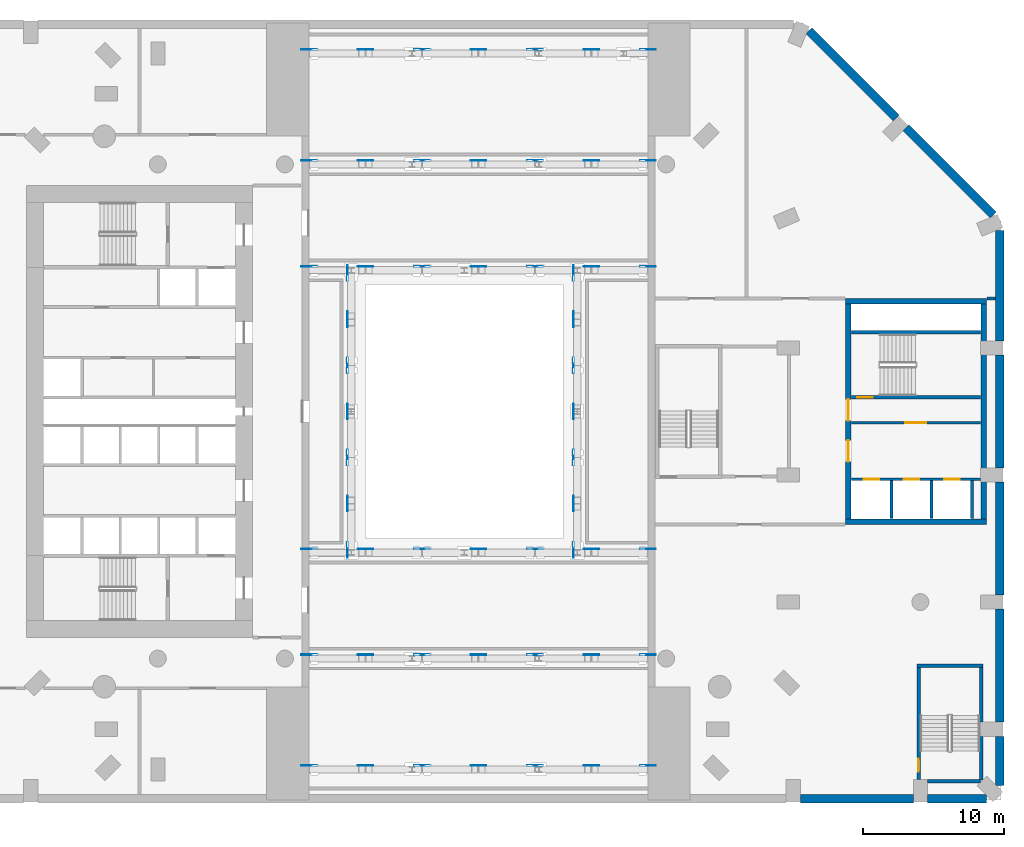
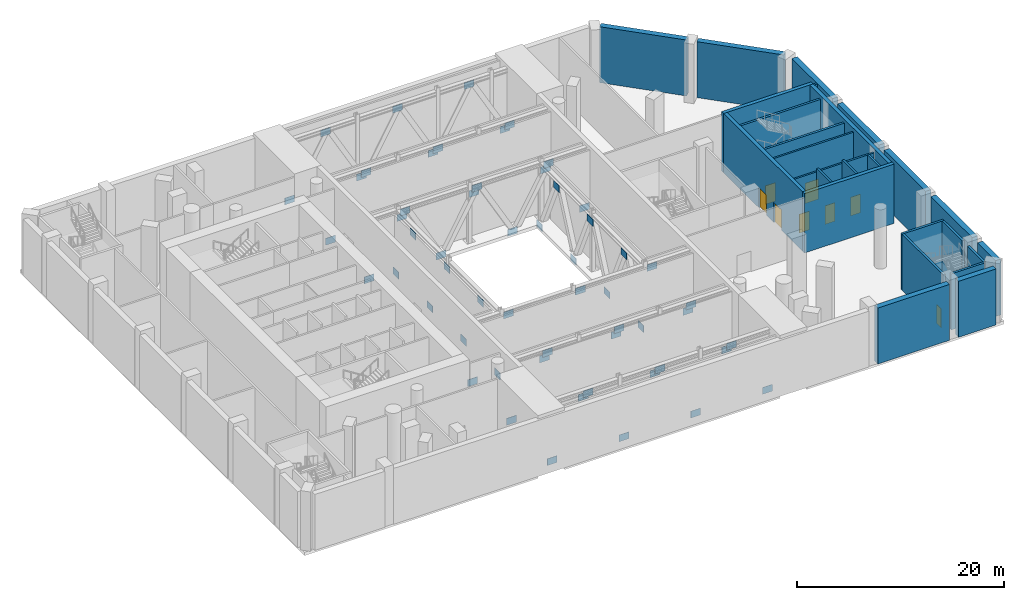
# One storey, part 8 of 21: 56 discrete accessories, 26 walls, 8 doors, 8 openings.
"""IFC4 building model written with IfcOpenShell, lengths in metres."""

from ifc_helpers import new_model, si_unit, direction, frame, frame_2d, origin, origin_2d, place, context, subcontext, project, spatial, rectangle, extrude, material, layer, layer_set, material_profile, profile_set, type_object, element, fill, save


model = new_model("IFC4")

# Units and contexts
model_context = context("Model", 3, precision=1e-05, world=origin(), true_north=direction((0.0, 1.0)))
body_context = subcontext(model_context, "Body", "Model", "MODEL_VIEW")
ifc_project = project(units=[si_unit("LENGTHUNIT", "METRE"), si_unit("AREAUNIT", "SQUARE_METRE"), si_unit("VOLUMEUNIT", "CUBIC_METRE"), si_unit("PLANEANGLEUNIT", "RADIAN"), si_unit("MASSUNIT", "GRAM", prefix="KILO")], contexts=[model_context])

# Site, building, storey
site_placement = place(None, origin())
site = spatial("IfcSite", under=ifc_project, at=site_placement, CompositionType="ELEMENT")
building_placement = place(site_placement, origin())
building = spatial("IfcBuilding", under=site, at=building_placement, Name="Cypress Arch Tower", CompositionType="ELEMENT")
storey_placement = place(building_placement, frame((0.0, 0.0, 29.0)))
storey = spatial("IfcBuildingStorey", under=building, at=storey_placement, Name="L03", CompositionType="ELEMENT", Elevation=29.0)

# Walls
ifc_material_1 = material(Name="Brick (red buff blend) on blockwork backing", Category="masonry")
ifc_layer_1 = layer(ifc_material_1, 0.60009765625)
ifc_layer_set_1 = layer_set([ifc_layer_1], Name="Brick base wall BW600")
wall_type_1 = type_object("IfcWallType", Name="Brick base wall BW600", PredefinedType="ELEMENTEDWALL", material=ifc_layer_set_1)
wall_1_placement = place(storey_placement, frame((24.800048828125, -27.425048828125, 0.0), z_axis=(0.0, 0.0, 1.0), x_axis=(1.0, 0.0, 0.0)))
element("IfcWall", 1, at=wall_1_placement, inside=storey, type_object=wall_type_1, Name="Brick wall L03 P00.3", PredefinedType="ELEMENTEDWALL", context=body_context, shape_type="SweptSolid", body=[
    extrude(rectangle(XDim=8.0, YDim=0.60009765625, at=frame_2d((4.0, 0.0))), origin(), (0.0, 0.0, 1.0), 6.60009765625),
])
wall_2_placement = place(storey_placement, frame((33.800048828125, -27.425048828125, 0.0), z_axis=(0.0, 0.0, 1.0), x_axis=(1.0, 0.0, 0.0)))
element("IfcWall", 2, at=wall_2_placement, inside=storey, type_object=wall_type_1, Name="Brick wall L03 P00.4", PredefinedType="ELEMENTEDWALL", context=body_context, shape_type="SweptSolid", body=[
    extrude(rectangle(XDim=4.19287109375, YDim=0.60009765625, at=frame_2d((2.096435546875, 0.0))), origin(), (0.0, 0.0, 1.0), 6.60009765625),
])
wall_3_placement = place(storey_placement, frame((38.925048828125, -26.492919921875, 0.0), z_axis=(0.0, 0.0, 1.0), x_axis=(0.0, 1.0, 0.0)))
element("IfcWall", 3, at=wall_3_placement, inside=storey, type_object=wall_type_1, Name="Brick wall L03 P01.0", PredefinedType="ELEMENTEDWALL", context=body_context, shape_type="SweptSolid", body=[
    extrude(rectangle(XDim=3.492919921875, YDim=0.60009765625, at=frame_2d((1.74658203125, 0.0))), origin(), (0.0, 0.0, 1.0), 6.60009765625),
])
for number, where, z_axis, x_axis, name in (
    (4, (38.925048828125, -22.0, 0.0), (0.0, 0.0, 1.0), (0.0, 1.0, 0.0), "Brick wall L03 P01.1"),
    (5, (38.925048828125, -13.0, 0.0), (0.0, 0.0, 1.0), (0.0, 1.0, 0.0), "Brick wall L03 P01.2"),
    (6, (38.925048828125, -4.0, 0.0), (0.0, 0.0, 1.0), (0.0, 1.0, 0.0), "Brick wall L03 P01.3"),
):
    element("IfcWall", number, at=place(storey_placement, frame(where, z_axis=z_axis, x_axis=x_axis)), inside=storey, type_object=wall_type_1, Name=name, PredefinedType="ELEMENTEDWALL", context=body_context, shape_type="SweptSolid", body=[
        extrude(rectangle(XDim=8.0, YDim=0.60009765625, at=frame_2d((4.0, 0.0))), origin(), (0.0, 0.0, 1.0), 6.60009765625),
    ])
wall_4_placement = place(storey_placement, frame((38.925048828125, 5.0, 0.0), z_axis=(0.0, 0.0, 1.0), x_axis=(0.0, 1.0, 0.0)))
element("IfcWall", 7, at=wall_4_placement, inside=storey, type_object=wall_type_1, Name="Brick wall L03 P01.4", PredefinedType="ELEMENTEDWALL", context=body_context, shape_type="SweptSolid", body=[
    extrude(rectangle(XDim=7.83447265625, YDim=0.60009765625, at=frame_2d((3.917236328125, 0.0))), origin(), (0.0, 0.0, 1.0), 6.60009765625),
])
for number, where, z_axis, x_axis, name in (
    (8, (38.476318359375, 13.91748046875, 0.0), (0.0, 0.0, 1.0), (-0.707092804673, 0.707120757424, 0.0), "Brick wall L03 P02.0"),
    (9, (31.593505859375, 20.800537109375, 0.0), (0.0, 0.0, 1.0), (-0.707120757424, 0.707092804673, 0.0), "Brick wall L03 P02.1"),
):
    element("IfcWall", number, at=place(storey_placement, frame(where, z_axis=z_axis, x_axis=x_axis)), inside=storey, type_object=wall_type_1, Name=name, PredefinedType="ELEMENTEDWALL", context=body_context, shape_type="SweptSolid", body=[
        extrude(rectangle(XDim=8.734130859375, YDim=0.60009765625, at=frame_2d((4.3671875, 0.0))), origin(), (0.0, 0.0, 1.0), 6.60009765625),
    ])

# Wall, opening, door
ifc_material_2 = material(Name="Concrete blockwork, plastered, rated", Category="masonry")
ifc_layer_2 = layer(ifc_material_2, 0.199951171875)
ifc_layer_set_2 = layer_set([ifc_layer_2], Name="Corridor wall FW200")
wall_type_2 = type_object("IfcWallType", Name="Corridor wall FW200", PredefinedType="PARTITIONING", material=ifc_layer_set_2)
wall_5_placement = place(storey_placement, frame((28.429931640625, -0.800048828125, 0.0), z_axis=(0.0, 0.0, 1.0), x_axis=(1.0, 0.0, 0.0)))
wall_5 = element("IfcWall", 10, at=wall_5_placement, inside=storey, type_object=wall_type_2, Name="Corridor wall", PredefinedType="PARTITIONING", context=body_context, shape_type="SweptSolid", body=[
    extrude(rectangle(XDim=9.14013671875, YDim=0.199951171875, at=frame_2d((4.570068359375, 0.0))), origin(), (0.0, 0.0, 1.0), 6.597900390625),
])
opening_1_placement = place(wall_5_placement, frame((3.800048828125, 0.0, 0.0)))
opening_1 = element("IfcOpeningElement", 11, at=opening_1_placement, cuts=wall_5, Name="Opening D07", PredefinedType="OPENING", context=body_context, shape_type="SweptSolid", body=[
    extrude(rectangle(XDim=1.5, YDim=2.39990234375, at=frame_2d((0.75, 1.199951171875))), frame((0.0, 0.10986328125, 0.0), z_axis=(0.0, -1.0, 0.0), x_axis=(1.0, 0.0, 0.0)), (0.0, 0.0, 1.0), 0.219970703125),
])
ifc_material_3 = material(Name="Steel framed glazed door, fire resisting", Category="steel")
door_type_1 = type_object("IfcDoorType", Name="Lobby door D07 1500x2400", OperationType="DOUBLE_DOOR_SINGLE_SWING", PredefinedType="DOOR", material=ifc_material_3)
door_1_placement = place(opening_1_placement, origin())
door_1 = element("IfcDoor", 12, at=door_1_placement, inside=storey, type_object=door_type_1, Name="Lobby door", OperationType="DOUBLE_DOOR_SINGLE_SWING", OverallHeight=2.39990234375, OverallWidth=1.5, PredefinedType="DOOR", context=body_context, shape_type="SweptSolid", body=[
    extrude(rectangle(XDim=1.5, YDim=2.39990234375, at=frame_2d((0.75, 1.199951171875))), frame((0.0, 0.02490234375, 0.0), z_axis=(0.0, -1.0, 0.0), x_axis=(1.0, 0.0, 0.0)), (0.0, 0.0, 1.0), 0.050048828125),
])
fill(opening_1, door_1)

# Walls
ifc_material_4 = material(Name="Concrete C60/75", Category="concrete")
ifc_layer_3 = layer(ifc_material_4, 0.39990234375)
ifc_layer_set_3 = layer_set([ifc_layer_3], Name="East core wall CW400 C60/75")
wall_type_3 = type_object("IfcWallType", Name="East core wall CW400 C60/75", PredefinedType="SHEAR", material=ifc_layer_set_3)
for number, where, z_axis, x_axis, name in (
    (13, (28.0, 7.800048828125, 0.0), (0.0, 0.0, 1.0), (1.0, 0.0, 0.0), "East core wall"),
    (14, (28.0, -7.800048828125, 0.0), (0.0, 0.0, 1.0), (1.0, 0.0, 0.0), "East core wall"),
):
    element("IfcWall", number, at=place(storey_placement, frame(where, z_axis=z_axis, x_axis=x_axis)), inside=storey, type_object=wall_type_3, Name=name, PredefinedType="SHEAR", context=body_context, shape_type="SweptSolid", body=[
        extrude(rectangle(XDim=10.0, YDim=0.39990234375, at=frame_2d((5.0, 0.0))), origin(), (0.0, 0.0, 1.0), 7.0),
    ])
wall_6_placement = place(storey_placement, frame((37.800048828125, -7.60009765625, 0.0), z_axis=(0.0, 0.0, 1.0), x_axis=(0.0, 1.0, 0.0)))
element("IfcWall", 15, at=wall_6_placement, inside=storey, type_object=wall_type_3, Name="East core wall", PredefinedType="SHEAR", context=body_context, shape_type="SweptSolid", body=[
    extrude(rectangle(XDim=15.2001953125, YDim=0.39990234375, at=frame_2d((7.60009765625, 0.0))), origin(), (0.0, 0.0, 1.0), 7.0),
])

# Wall, openings, doors
wall_7_placement = place(storey_placement, frame((28.199951171875, -7.60009765625, 0.0), z_axis=(0.0, 0.0, 1.0), x_axis=(0.0, 1.0, 0.0)))
wall_7 = element("IfcWall", 16, at=wall_7_placement, inside=storey, type_object=wall_type_3, Name="East core wall", PredefinedType="SHEAR", context=body_context, shape_type="SweptSolid", body=[
    extrude(rectangle(XDim=15.2001953125, YDim=0.39990234375, at=frame_2d((7.60009765625, 0.0))), origin(), (0.0, 0.0, 1.0), 7.0),
])
opening_2_placement = place(wall_7_placement, frame((4.050048828125, 0.0, 0.0)))
opening_2 = element("IfcOpeningElement", 17, at=opening_2_placement, cuts=wall_7, Name="Opening D07", PredefinedType="OPENING", context=body_context, shape_type="SweptSolid", body=[
    extrude(rectangle(XDim=1.5, YDim=2.39990234375, at=frame_2d((0.75, 1.199951171875))), frame((0.0, 0.2099609375, 0.0), z_axis=(0.0, -1.0, 0.0), x_axis=(1.0, 0.0, 0.0)), (0.0, 0.0, 1.0), 0.419921875),
])
opening_3_placement = place(wall_7_placement, frame((6.949951171875, 0.0, 0.0)))
opening_3 = element("IfcOpeningElement", 18, at=opening_3_placement, cuts=wall_7, Name="Opening D07", PredefinedType="OPENING", context=body_context, shape_type="SweptSolid", body=[
    extrude(rectangle(XDim=1.5, YDim=2.39990234375, at=frame_2d((0.75, 1.199951171875))), frame((0.0, 0.2099609375, 0.0), z_axis=(0.0, -1.0, 0.0), x_axis=(1.0, 0.0, 0.0)), (0.0, 0.0, 1.0), 0.419921875),
])
door_2_placement = place(opening_2_placement, origin())
door_2 = element("IfcDoor", 19, at=door_2_placement, inside=storey, type_object=door_type_1, Name="Lobby door", OperationType="DOUBLE_DOOR_SINGLE_SWING", OverallHeight=2.39990234375, OverallWidth=1.5, PredefinedType="DOOR", context=body_context, shape_type="SweptSolid", body=[
    extrude(rectangle(XDim=1.5, YDim=2.39990234375, at=frame_2d((0.75, 1.199951171875))), frame((0.0, 0.02490234375, 0.0), z_axis=(0.0, -1.0, 0.0), x_axis=(1.0, 0.0, 0.0)), (0.0, 0.0, 1.0), 0.050048828125),
])
fill(opening_2, door_2)
door_3_placement = place(opening_3_placement, origin())
door_3 = element("IfcDoor", 20, at=door_3_placement, inside=storey, type_object=door_type_1, Name="Lobby door", OperationType="DOUBLE_DOOR_SINGLE_SWING", OverallHeight=2.39990234375, OverallWidth=1.5, PredefinedType="DOOR", context=body_context, shape_type="SweptSolid", body=[
    extrude(rectangle(XDim=1.5, YDim=2.39990234375, at=frame_2d((0.75, 1.199951171875))), frame((0.0, 0.02490234375, 0.0), z_axis=(0.0, -1.0, 0.0), x_axis=(1.0, 0.0, 0.0)), (0.0, 0.0, 1.0), 0.050048828125),
])
fill(opening_3, door_3)

# Wall
ifc_material_5 = material(Name="Reinforced blockwork, plastered, rated", Category="masonry")
ifc_layer_4 = layer(ifc_material_5, 0.199951171875)
ifc_layer_set_4 = layer_set([ifc_layer_4], Name="Plant and riser wall PL200")
wall_type_4 = type_object("IfcWallType", Name="Plant and riser wall PL200", PredefinedType="PARTITIONING", material=ifc_layer_set_4)
wall_8_placement = place(storey_placement, frame((38.030029296875, 8.0, 0.0), z_axis=(0.0, 0.0, 1.0), x_axis=(1.0, 0.0, 0.0)))
element("IfcWall", 21, at=wall_8_placement, inside=storey, type_object=wall_type_4, Name="Plant and riser wall", PredefinedType="PARTITIONING", context=body_context, shape_type="SweptSolid", body=[
    extrude(rectangle(XDim=0.594970703125, YDim=0.199951171875, at=frame_2d((0.29736328125, 0.0))), origin(), (0.0, 0.0, 1.0), 6.597900390625),
])

# Wall, openings, doors
ifc_material_6 = material(Name="Concrete C50/60", Category="concrete")
ifc_layer_5 = layer(ifc_material_6, 0.199951171875)
ifc_layer_set_5 = layer_set([ifc_layer_5], Name="Shaft wall SH200")
wall_type_5 = type_object("IfcWallType", Name="Shaft wall SH200", PredefinedType="SHEAR", material=ifc_layer_set_5)
wall_9_placement = place(storey_placement, frame((28.429931640625, -4.800048828125, 0.0), z_axis=(0.0, 0.0, 1.0), x_axis=(1.0, 0.0, 0.0)))
wall_9 = element("IfcWall", 22, at=wall_9_placement, inside=storey, type_object=wall_type_5, Name="Shaft wall", PredefinedType="SHEAR", context=body_context, shape_type="SweptSolid", body=[
    extrude(rectangle(XDim=9.130126953125, YDim=0.199951171875, at=frame_2d((4.56494140625, 0.0))), origin(), (0.0, 0.0, 1.0), 6.597900390625),
])
opening_4_placement = place(wall_9_placement, frame((0.85009765625, 0.0, 0.0)))
opening_4 = element("IfcOpeningElement", 23, at=opening_4_placement, cuts=wall_9, Name="Opening LD-EW1", PredefinedType="OPENING", context=body_context, shape_type="SweptSolid", body=[
    extrude(rectangle(XDim=1.10009765625, YDim=2.199951171875, at=frame_2d((0.550048828125, 1.10009765625))), frame((0.0, 0.10986328125, 0.0), z_axis=(0.0, -1.0, 0.0), x_axis=(1.0, 0.0, 0.0)), (0.0, 0.0, 1.0), 0.219970703125),
])
opening_5_placement = place(wall_9_placement, frame((3.699951171875, 0.0, 0.0)))
opening_5 = element("IfcOpeningElement", 24, at=opening_5_placement, cuts=wall_9, Name="Opening LD-EW2", PredefinedType="OPENING", context=body_context, shape_type="SweptSolid", body=[
    extrude(rectangle(XDim=1.10009765625, YDim=2.199951171875, at=frame_2d((0.550048828125, 1.10009765625))), frame((0.0, 0.10986328125, 0.0), z_axis=(0.0, -1.0, 0.0), x_axis=(1.0, 0.0, 0.0)), (0.0, 0.0, 1.0), 0.219970703125),
])
opening_6_placement = place(wall_9_placement, frame((6.550048828125, 0.0, 0.0)))
opening_6 = element("IfcOpeningElement", 25, at=opening_6_placement, cuts=wall_9, Name="Opening LD-EWS", PredefinedType="OPENING", context=body_context, shape_type="SweptSolid", body=[
    extrude(rectangle(XDim=1.10009765625, YDim=2.199951171875, at=frame_2d((0.550048828125, 1.10009765625))), frame((0.0, 0.10986328125, 0.0), z_axis=(0.0, -1.0, 0.0), x_axis=(1.0, 0.0, 0.0)), (0.0, 0.0, 1.0), 0.219970703125),
])
ifc_material_7 = material(Name="Stainless steel centre-opening landing door, rated", Category="steel")
door_type_2 = type_object("IfcDoorType", Name="Lift landing door LD 1100x2200", OperationType="DOUBLE_DOOR_SLIDING", PredefinedType="DOOR", material=ifc_material_7)
door_4_placement = place(opening_4_placement, origin())
door_4 = element("IfcDoor", 26, at=door_4_placement, inside=storey, type_object=door_type_2, Name="Lift landing doors EW1", OperationType="DOUBLE_DOOR_SLIDING", OverallHeight=2.199951171875, OverallWidth=1.10009765625, PredefinedType="DOOR", context=body_context, shape_type="SweptSolid", body=[
    extrude(rectangle(XDim=1.10009765625, YDim=2.199951171875, at=frame_2d((0.550048828125, 1.10009765625))), frame((0.0, 0.02490234375, 0.0), z_axis=(0.0, -1.0, 0.0), x_axis=(1.0, 0.0, 0.0)), (0.0, 0.0, 1.0), 0.050048828125),
])
fill(opening_4, door_4)
door_5_placement = place(opening_5_placement, origin())
door_5 = element("IfcDoor", 27, at=door_5_placement, inside=storey, type_object=door_type_2, Name="Lift landing doors EW2", OperationType="DOUBLE_DOOR_SLIDING", OverallHeight=2.199951171875, OverallWidth=1.10009765625, PredefinedType="DOOR", context=body_context, shape_type="SweptSolid", body=[
    extrude(rectangle(XDim=1.10009765625, YDim=2.199951171875, at=frame_2d((0.550048828125, 1.10009765625))), frame((0.0, 0.02490234375, 0.0), z_axis=(0.0, -1.0, 0.0), x_axis=(1.0, 0.0, 0.0)), (0.0, 0.0, 1.0), 0.050048828125),
])
fill(opening_5, door_5)
door_6_placement = place(opening_6_placement, origin())
door_6 = element("IfcDoor", 28, at=door_6_placement, inside=storey, type_object=door_type_2, Name="Lift landing doors EWS", OperationType="DOUBLE_DOOR_SLIDING", OverallHeight=2.199951171875, OverallWidth=1.10009765625, PredefinedType="DOOR", context=body_context, shape_type="SweptSolid", body=[
    extrude(rectangle(XDim=1.10009765625, YDim=2.199951171875, at=frame_2d((0.550048828125, 1.10009765625))), frame((0.0, 0.02490234375, 0.0), z_axis=(0.0, -1.0, 0.0), x_axis=(1.0, 0.0, 0.0)), (0.0, 0.0, 1.0), 0.050048828125),
])
fill(opening_6, door_6)

# Walls
for number, where, z_axis, x_axis, name in (
    (29, (31.25, -7.570068359375, 0.0), (0.0, 0.0, 1.0), (0.0, 1.0, 0.0), "Shaft wall"),
    (30, (34.10009765625, -7.570068359375, 0.0), (0.0, 0.0, 1.0), (0.0, 1.0, 0.0), "Shaft wall"),
):
    element("IfcWall", number, at=place(storey_placement, frame(where, z_axis=z_axis, x_axis=x_axis)), inside=storey, type_object=wall_type_5, Name=name, PredefinedType="SHEAR", context=body_context, shape_type="SweptSolid", body=[
        extrude(rectangle(XDim=2.670166015625, YDim=0.199951171875, at=frame_2d((1.3349609375, 0.0))), origin(), (0.0, 0.0, 1.0), 7.0),
    ])
wall_10_placement = place(storey_placement, frame((36.949951171875, -7.570068359375, 0.0), z_axis=(0.0, 0.0, 1.0), x_axis=(0.0, 1.0, 0.0)))
element("IfcWall", 31, at=wall_10_placement, inside=storey, type_object=wall_type_5, Name="Shaft wall", PredefinedType="SHEAR", context=body_context, shape_type="SweptSolid", body=[
    extrude(rectangle(XDim=2.670166015625, YDim=0.199951171875, at=frame_2d((1.3349609375, 0.0))), origin(), (0.0, 0.0, 1.0), 6.597900390625),
])

# Wall, opening, door
ifc_material_8 = material(Name="Concrete C50/60", Category="concrete")
ifc_layer_6 = layer(ifc_material_8, 0.25)
ifc_layer_set_6 = layer_set([ifc_layer_6], Name="Stair enclosure wall SW250")
wall_type_6 = type_object("IfcWallType", Name="Stair enclosure wall SW250", PredefinedType="SHEAR", material=ifc_layer_set_6)
wall_11_placement = place(storey_placement, frame((28.429931640625, 1.0, 0.0), z_axis=(0.0, 0.0, 1.0), x_axis=(1.0, 0.0, 0.0)))
wall_11 = element("IfcWall", 32, at=wall_11_placement, inside=storey, type_object=wall_type_6, Name="Stair enclosure wall", PredefinedType="SHEAR", context=body_context, shape_type="SweptSolid", body=[
    extrude(rectangle(XDim=9.14013671875, YDim=0.25, at=frame_2d((4.570068359375, 0.0))), origin(), (0.0, 0.0, 1.0), 6.597900390625),
])
opening_7_placement = place(wall_11_placement, frame((0.39990234375, 0.0, 0.0)))
opening_7 = element("IfcOpeningElement", 33, at=opening_7_placement, cuts=wall_11, Name="Opening D06", PredefinedType="OPENING", context=body_context, shape_type="SweptSolid", body=[
    extrude(rectangle(XDim=1.10009765625, YDim=2.199951171875, at=frame_2d((0.550048828125, 1.10009765625))), frame((0.0, 0.135009765625, 0.0), z_axis=(0.0, -1.0, 0.0), x_axis=(1.0, 0.0, 0.0)), (0.0, 0.0, 1.0), 0.27001953125),
])
ifc_material_9 = material(Name="Steel door, fire resisting, panic bar", Category="steel")
door_type_3 = type_object("IfcDoorType", Name="Stair door D06 1100x2200", OperationType="SINGLE_SWING_LEFT", PredefinedType="DOOR", material=ifc_material_9)
door_7_placement = place(opening_7_placement, origin())
door_7 = element("IfcDoor", 34, at=door_7_placement, inside=storey, type_object=door_type_3, Name="Stair door", OperationType="SINGLE_SWING_LEFT", OverallHeight=2.199951171875, OverallWidth=1.10009765625, PredefinedType="DOOR", context=body_context, shape_type="SweptSolid", body=[
    extrude(rectangle(XDim=1.10009765625, YDim=2.199951171875, at=frame_2d((0.550048828125, 1.10009765625))), frame((0.0, 0.02490234375, 0.0), z_axis=(0.0, -1.0, 0.0), x_axis=(1.0, 0.0, 0.0)), (0.0, 0.0, 1.0), 0.050048828125),
])
fill(opening_7, door_7)

# Wall
wall_12_placement = place(storey_placement, frame((28.429931640625, 5.60009765625, 0.0), z_axis=(0.0, 0.0, 1.0), x_axis=(1.0, 0.0, 0.0)))
element("IfcWall", 35, at=wall_12_placement, inside=storey, type_object=wall_type_6, Name="Stair enclosure wall", PredefinedType="SHEAR", context=body_context, shape_type="SweptSolid", body=[
    extrude(rectangle(XDim=9.14013671875, YDim=0.25, at=frame_2d((4.570068359375, 0.0))), origin(), (0.0, 0.0, 1.0), 6.597900390625),
])

# Wall, opening, door
wall_13_placement = place(storey_placement, frame((33.175048828125, -26.050048828125, 0.0), z_axis=(0.0, 0.0, 1.0), x_axis=(0.0, 1.0, 0.0)))
wall_13 = element("IfcWall", 36, at=wall_13_placement, inside=storey, type_object=wall_type_6, Name="Stair enclosure wall", PredefinedType="SHEAR", context=body_context, shape_type="SweptSolid", body=[
    extrude(rectangle(XDim=7.920166015625, YDim=0.25, at=frame_2d((3.9599609375, 0.0))), origin(), (0.0, 0.0, 1.0), 6.60009765625),
])
opening_8_placement = place(wall_13_placement, frame((0.550048828125, 0.0, 0.0)))
opening_8 = element("IfcOpeningElement", 37, at=opening_8_placement, cuts=wall_13, Name="Opening D15", PredefinedType="OPENING", context=body_context, shape_type="SweptSolid", body=[
    extrude(rectangle(XDim=0.89990234375, YDim=2.199951171875, at=frame_2d((0.449951171875, 1.10009765625))), frame((0.0, 0.135009765625, 0.0), z_axis=(0.0, -1.0, 0.0), x_axis=(1.0, 0.0, 0.0)), (0.0, 0.0, 1.0), 0.27001953125),
])
ifc_material_10 = material(Name="Steel door, fire resisting, panic bar", Category="steel")
door_type_4 = type_object("IfcDoorType", Name="Stair door D15 900x2200", OperationType="SINGLE_SWING_LEFT", PredefinedType="DOOR", material=ifc_material_10)
door_8_placement = place(opening_8_placement, origin())
door_8 = element("IfcDoor", 38, at=door_8_placement, inside=storey, type_object=door_type_4, Name="Stair door", OperationType="SINGLE_SWING_RIGHT", OverallHeight=2.199951171875, OverallWidth=0.89990234375, PredefinedType="DOOR", context=body_context, shape_type="SweptSolid", body=[
    extrude(rectangle(XDim=0.89990234375, YDim=2.199951171875, at=frame_2d((0.449951171875, 1.10009765625))), frame((0.0, 0.02490234375, 0.0), z_axis=(0.0, -1.0, 0.0), x_axis=(1.0, 0.0, 0.0)), (0.0, 0.0, 1.0), 0.050048828125),
])
fill(opening_8, door_8)

# Walls
wall_14_placement = place(storey_placement, frame((33.800048828125, -26.175048828125, 0.0), z_axis=(0.0, 0.0, 1.0), x_axis=(1.0, 0.0, 0.0)))
element("IfcWall", 39, at=wall_14_placement, inside=storey, type_object=wall_type_6, Name="Stair enclosure wall", PredefinedType="SHEAR", context=body_context, shape_type="SweptSolid", body=[
    extrude(rectangle(XDim=3.7451171875, YDim=0.25, at=frame_2d((1.87255859375, 0.0))), origin(), (0.0, 0.0, 1.0), 6.60009765625),
])
wall_15_placement = place(storey_placement, frame((33.050048828125, -18.0048828125, 0.0), z_axis=(0.0, 0.0, 1.0), x_axis=(1.0, 0.0, 0.0)))
element("IfcWall", 40, at=wall_15_placement, inside=storey, type_object=wall_type_6, Name="Stair enclosure wall", PredefinedType="SHEAR", context=body_context, shape_type="SweptSolid", body=[
    extrude(rectangle(XDim=4.699951171875, YDim=0.25, at=frame_2d((2.35009765625, 0.0))), origin(), (0.0, 0.0, 1.0), 6.60009765625),
])
wall_16_placement = place(storey_placement, frame((37.625, -26.09521484375, 0.0), z_axis=(0.0, 0.0, 1.0), x_axis=(0.0, 1.0, 0.0)))
element("IfcWall", 41, at=wall_16_placement, inside=storey, type_object=wall_type_6, Name="Stair enclosure wall", PredefinedType="SHEAR", context=body_context, shape_type="SweptSolid", body=[
    extrude(rectangle(XDim=3.09521484375, YDim=0.25, at=frame_2d((1.547607421875, 0.0))), origin(), (0.0, 0.0, 1.0), 6.60009765625),
])
wall_17_placement = place(storey_placement, frame((37.625, -22.0, 0.0), z_axis=(0.0, 0.0, 1.0), x_axis=(0.0, 1.0, 0.0)))
element("IfcWall", 42, at=wall_17_placement, inside=storey, type_object=wall_type_6, Name="Stair enclosure wall", PredefinedType="SHEAR", context=body_context, shape_type="SweptSolid", body=[
    extrude(rectangle(XDim=3.8701171875, YDim=0.25, at=frame_2d((1.93505859375, 0.0))), origin(), (0.0, 0.0, 1.0), 6.60009765625),
])

# Discrete accessories
ifc_material_11 = material(Name="Steel ASTM A992", Category="steel")
ifc_material_profile = material_profile(ifc_material_11, rectangle(XDim=1.10009765625, YDim=0.800048828125, at=origin_2d()), Name="PL 40 1100x800")
ifc_profile_set = profile_set([ifc_material_profile], Name="Steel ASTM A992")
discrete_accessory_type = type_object("IfcDiscreteAccessoryType", Name="Truss gusset plate 1100x800x40 Steel ASTM A992", PredefinedType="ANCHORPLATE", material=ifc_profile_set)
for number, where, z_axis, x_axis, name in (
    (43, (-10.0, -25.095947265625, -0.800048828125), (0.0, 1.0, 0.0), (-1.0, 0.0, 0.0), "Gusset plate transfer truss SF node 1"),
    (44, (-6.0, -25.095947265625, 5.786865234375), (0.0, 1.0, 0.0), (-1.0, 0.0, 0.0), "Gusset plate transfer truss SF node 2"),
    (45, (-2.0, -25.095947265625, -0.800048828125), (0.0, 1.0, 0.0), (-1.0, 0.0, 0.0), "Gusset plate transfer truss SF node 3"),
    (46, (2.0, -25.095947265625, 5.786865234375), (0.0, 1.0, 0.0), (-1.0, 0.0, 0.0), "Gusset plate transfer truss SF node 4"),
    (47, (6.0, -25.095947265625, -0.800048828125), (0.0, 1.0, 0.0), (-1.0, 0.0, 0.0), "Gusset plate transfer truss SF node 5"),
    (48, (10.0, -25.095947265625, 5.786865234375), (0.0, 1.0, 0.0), (-1.0, 0.0, 0.0), "Gusset plate transfer truss SF node 6"),
    (49, (14.0, -25.095947265625, -0.800048828125), (0.0, 1.0, 0.0), (-1.0, 0.0, 0.0), "Gusset plate transfer truss SF node 7"),
    (50, (-10.0, 25.60400390625, -0.800048828125), (0.0, 1.0, 0.0), (-1.0, 0.0, 0.0), "Gusset plate transfer truss NF node 1"),
    (51, (-6.0, 25.60400390625, 5.786865234375), (0.0, 1.0, 0.0), (-1.0, 0.0, 0.0), "Gusset plate transfer truss NF node 2"),
    (52, (-2.0, 25.60400390625, -0.800048828125), (0.0, 1.0, 0.0), (-1.0, 0.0, 0.0), "Gusset plate transfer truss NF node 3"),
    (53, (2.0, 25.60400390625, 5.786865234375), (0.0, 1.0, 0.0), (-1.0, 0.0, 0.0), "Gusset plate transfer truss NF node 4"),
    (54, (6.0, 25.60400390625, -0.800048828125), (0.0, 1.0, 0.0), (-1.0, 0.0, 0.0), "Gusset plate transfer truss NF node 5"),
    (55, (10.0, 25.60400390625, 5.786865234375), (0.0, 1.0, 0.0), (-1.0, 0.0, 0.0), "Gusset plate transfer truss NF node 6"),
    (56, (14.0, 25.60400390625, -0.800048828125), (0.0, 1.0, 0.0), (-1.0, 0.0, 0.0), "Gusset plate transfer truss NF node 7"),
    (57, (-10.0, -17.24609375, -0.800048828125), (0.0, 1.0, 0.0), (-1.0, 0.0, 0.0), "Gusset plate transfer truss S17 node 1"),
    (58, (-6.0, -17.24609375, 5.786865234375), (0.0, 1.0, 0.0), (-1.0, 0.0, 0.0), "Gusset plate transfer truss S17 node 2"),
    (59, (-2.0, -17.24609375, -0.800048828125), (0.0, 1.0, 0.0), (-1.0, 0.0, 0.0), "Gusset plate transfer truss S17 node 3"),
    (60, (2.0, -17.24609375, 5.786865234375), (0.0, 1.0, 0.0), (-1.0, 0.0, 0.0), "Gusset plate transfer truss S17 node 4"),
    (61, (6.0, -17.24609375, -0.800048828125), (0.0, 1.0, 0.0), (-1.0, 0.0, 0.0), "Gusset plate transfer truss S17 node 5"),
    (62, (10.0, -17.24609375, 5.786865234375), (0.0, 1.0, 0.0), (-1.0, 0.0, 0.0), "Gusset plate transfer truss S17 node 6"),
    (63, (14.0, -17.24609375, -0.800048828125), (0.0, 1.0, 0.0), (-1.0, 0.0, 0.0), "Gusset plate transfer truss S17 node 7"),
    (64, (-10.0, 17.75390625, -0.800048828125), (0.0, 1.0, 0.0), (-1.0, 0.0, 0.0), "Gusset plate transfer truss N17 node 1"),
    (65, (-6.0, 17.75390625, 5.786865234375), (0.0, 1.0, 0.0), (-1.0, 0.0, 0.0), "Gusset plate transfer truss N17 node 2"),
    (66, (-2.0, 17.75390625, -0.800048828125), (0.0, 1.0, 0.0), (-1.0, 0.0, 0.0), "Gusset plate transfer truss N17 node 3"),
    (67, (2.0, 17.75390625, 5.786865234375), (0.0, 1.0, 0.0), (-1.0, 0.0, 0.0), "Gusset plate transfer truss N17 node 4"),
    (68, (6.0, 17.75390625, -0.800048828125), (0.0, 1.0, 0.0), (-1.0, 0.0, 0.0), "Gusset plate transfer truss N17 node 5"),
    (69, (10.0, 17.75390625, 5.786865234375), (0.0, 1.0, 0.0), (-1.0, 0.0, 0.0), "Gusset plate transfer truss N17 node 6"),
    (70, (14.0, 17.75390625, -0.800048828125), (0.0, 1.0, 0.0), (-1.0, 0.0, 0.0), "Gusset plate transfer truss N17 node 7"),
    (71, (-10.0, -9.74609375, -0.800048828125), (0.0, 1.0, 0.0), (-1.0, 0.0, 0.0), "Gusset plate transfer truss S10 node 1"),
    (72, (-6.0, -9.74609375, 5.786865234375), (0.0, 1.0, 0.0), (-1.0, 0.0, 0.0), "Gusset plate transfer truss S10 node 2"),
    (73, (-2.0, -9.74609375, -0.800048828125), (0.0, 1.0, 0.0), (-1.0, 0.0, 0.0), "Gusset plate transfer truss S10 node 3"),
    (74, (2.0, -9.74609375, 5.786865234375), (0.0, 1.0, 0.0), (-1.0, 0.0, 0.0), "Gusset plate transfer truss S10 node 4"),
    (75, (6.0, -9.74609375, -0.800048828125), (0.0, 1.0, 0.0), (-1.0, 0.0, 0.0), "Gusset plate transfer truss S10 node 5"),
    (76, (10.0, -9.74609375, 5.786865234375), (0.0, 1.0, 0.0), (-1.0, 0.0, 0.0), "Gusset plate transfer truss S10 node 6"),
    (77, (14.0, -9.74609375, -0.800048828125), (0.0, 1.0, 0.0), (-1.0, 0.0, 0.0), "Gusset plate transfer truss S10 node 7"),
    (78, (-10.0, 10.25390625, -0.800048828125), (0.0, 1.0, 0.0), (-1.0, 0.0, 0.0), "Gusset plate transfer truss N10 node 1"),
    (79, (-6.0, 10.25390625, 5.786865234375), (0.0, 1.0, 0.0), (-1.0, 0.0, 0.0), "Gusset plate transfer truss N10 node 2"),
    (80, (-2.0, 10.25390625, -0.800048828125), (0.0, 1.0, 0.0), (-1.0, 0.0, 0.0), "Gusset plate transfer truss N10 node 3"),
    (81, (2.0, 10.25390625, 5.786865234375), (0.0, 1.0, 0.0), (-1.0, 0.0, 0.0), "Gusset plate transfer truss N10 node 4"),
    (82, (6.0, 10.25390625, -0.800048828125), (0.0, 1.0, 0.0), (-1.0, 0.0, 0.0), "Gusset plate transfer truss N10 node 5"),
    (83, (10.0, 10.25390625, 5.786865234375), (0.0, 1.0, 0.0), (-1.0, 0.0, 0.0), "Gusset plate transfer truss N10 node 6"),
    (84, (14.0, 10.25390625, -0.800048828125), (0.0, 1.0, 0.0), (-1.0, 0.0, 0.0), "Gusset plate transfer truss N10 node 7"),
    (85, (-7.25390625, -9.798095703125, -0.800048828125), (-1.0, 0.0, 0.0), (0.0, -1.0, 0.0), "Gusset plate transfer truss R-7 node 1"),
    (86, (-7.25390625, -6.531982421875, 5.786865234375), (-1.0, 0.0, 0.0), (0.0, -1.0, 0.0), "Gusset plate transfer truss R-7 node 2"),
    (87, (-7.25390625, -3.26611328125, -0.800048828125), (-1.0, 0.0, 0.0), (0.0, -1.0, 0.0), "Gusset plate transfer truss R-7 node 3"),
    (88, (-7.25390625, 0.0, 5.786865234375), (-1.0, 0.0, 0.0), (0.0, -1.0, 0.0), "Gusset plate transfer truss R-7 node 4"),
    (89, (-7.25390625, 3.26611328125, -0.800048828125), (-1.0, 0.0, 0.0), (0.0, -1.0, 0.0), "Gusset plate transfer truss R-7 node 5"),
    (90, (-7.25390625, 6.531982421875, 5.786865234375), (-1.0, 0.0, 0.0), (0.0, -1.0, 0.0), "Gusset plate transfer truss R-7 node 6"),
    (91, (-7.25390625, 9.798095703125, -0.800048828125), (-1.0, 0.0, 0.0), (0.0, -1.0, 0.0), "Gusset plate transfer truss R-7 node 7"),
    (92, (8.74609375, -9.798095703125, -0.800048828125), (-1.0, 0.0, 0.0), (0.0, -1.0, 0.0), "Gusset plate transfer truss R+9 node 1"),
    (93, (8.74609375, -6.531982421875, 5.786865234375), (-1.0, 0.0, 0.0), (0.0, -1.0, 0.0), "Gusset plate transfer truss R+9 node 2"),
    (94, (8.74609375, -3.26611328125, -0.800048828125), (-1.0, 0.0, 0.0), (0.0, -1.0, 0.0), "Gusset plate transfer truss R+9 node 3"),
    (95, (8.74609375, 0.0, 5.786865234375), (-1.0, 0.0, 0.0), (0.0, -1.0, 0.0), "Gusset plate transfer truss R+9 node 4"),
    (96, (8.74609375, 3.26611328125, -0.800048828125), (-1.0, 0.0, 0.0), (0.0, -1.0, 0.0), "Gusset plate transfer truss R+9 node 5"),
    (97, (8.74609375, 6.531982421875, 5.786865234375), (-1.0, 0.0, 0.0), (0.0, -1.0, 0.0), "Gusset plate transfer truss R+9 node 6"),
    (98, (8.74609375, 9.798095703125, -0.800048828125), (-1.0, 0.0, 0.0), (0.0, -1.0, 0.0), "Gusset plate transfer truss R+9 node 7"),
):
    element("IfcDiscreteAccessory", number, at=place(storey_placement, frame(where, z_axis=z_axis, x_axis=x_axis)), inside=storey, type_object=discrete_accessory_type, Name=name, PredefinedType="ANCHORPLATE", context=body_context, shape_type="SweptSolid", body=[
        extrude(rectangle(XDim=1.10009765625, YDim=0.800048828125, at=origin_2d()), origin(), (0.0, 0.0, 1.0), 0.0400390625),
    ])

save(model, "model.ifc")
